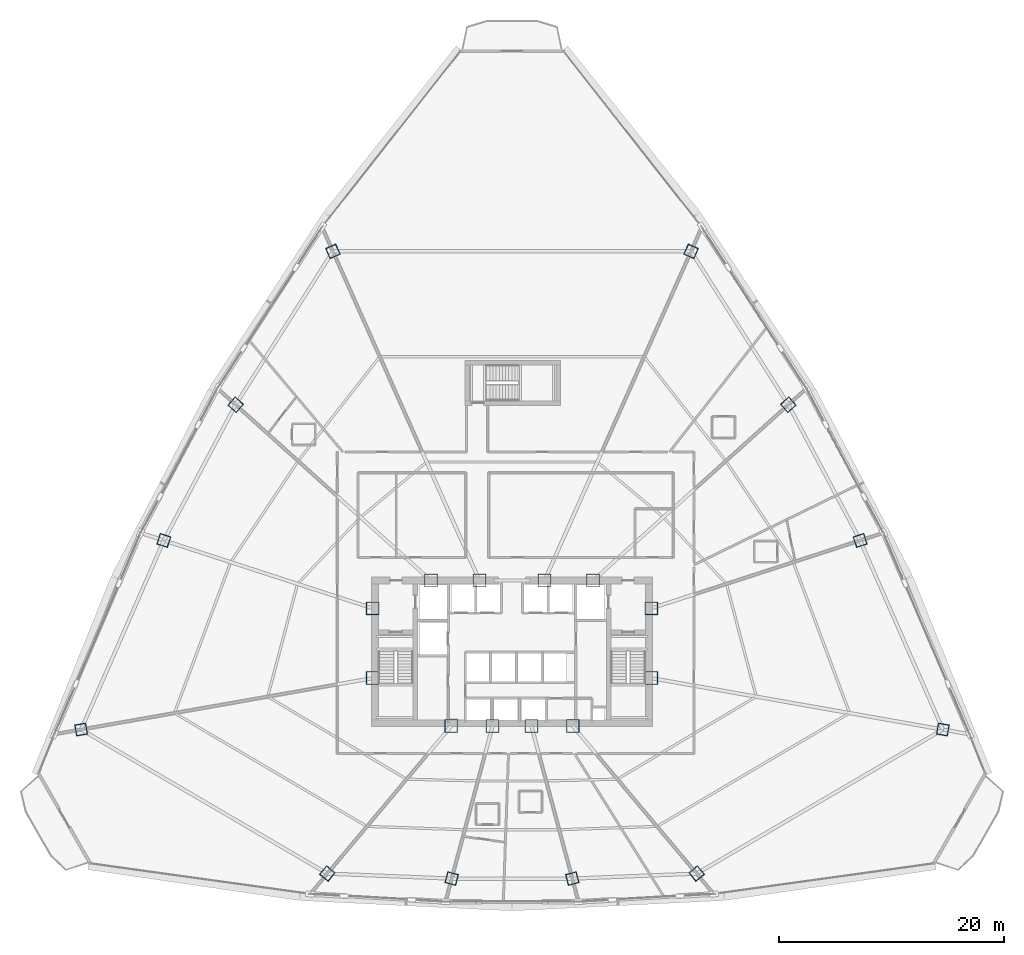
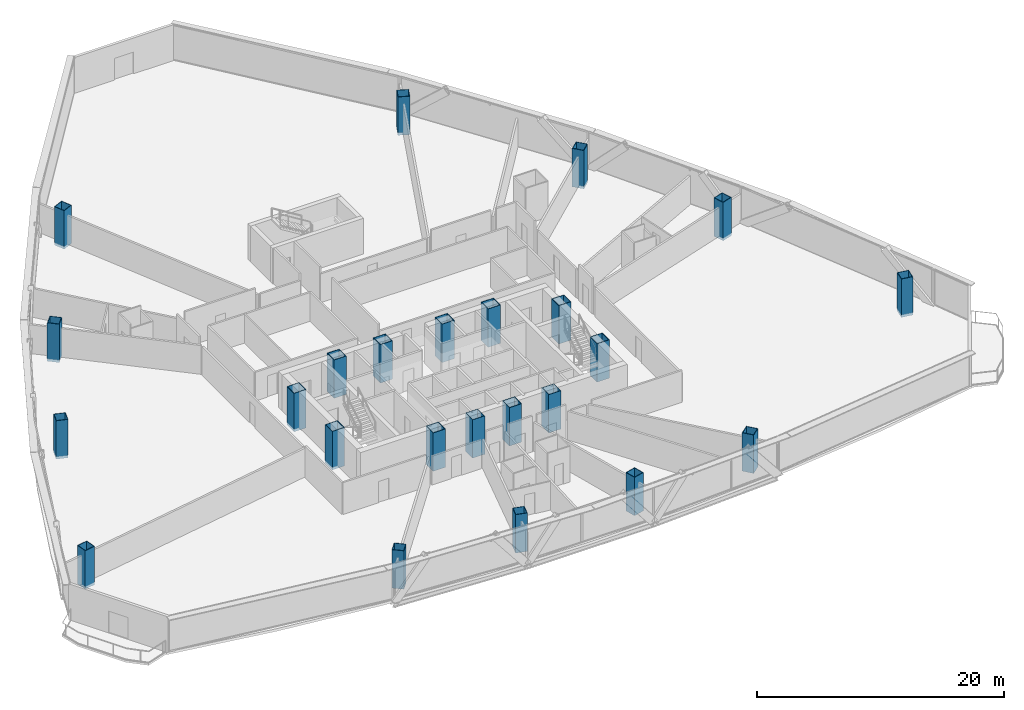
# One storey, part 1 of 38: 24 columns.
"""IFC4 building model written with IfcOpenShell, lengths in metres."""

import ifcopenshell
import ifcopenshell.guid

model = None  # the IFC model being written
_history = None  # IfcOwnerHistory: only IFC2X3 demands one
_inside = {}  # id of a spatial element -> (the spatial element, [elements in it])
_under = {}  # id of a project, library or spatial element -> (it, [spatial elements below it])
_declared = {}  # id of a project -> (the project, [libraries it declares])
_typed = {}  # id of a type object -> (the type object, [elements of that type])
_made_of = {}  # id of a material, layer set ... -> (it, [elements and type objects made of it])


def new_model(schema):
    """Start an empty IFC model of exactly this schema.

    Asked for "IFC4X3", IfcOpenShell would pick the latest addendum, in which some entities
    have other attributes; the version numbers below select the first issue.
    IFC2X3 requires an IfcOwnerHistory on every rooted entity: one is made here for all.
    """
    global model, _history
    if schema == "IFC4X3":
        model = ifcopenshell.file(schema_version=(4, 3, 0, 0))
    else:
        model = ifcopenshell.file(schema=schema)
    _inside.clear()
    _under.clear()
    _declared.clear()
    _typed.clear()
    _made_of.clear()
    _history = None
    if model.schema == "IFC2X3":
        org = make("IfcOrganization", Name="unknown")
        user = make(
            "IfcPersonAndOrganization",
            ThePerson=make("IfcPerson", FamilyName="unknown"),
            TheOrganization=org,
        )
        app = make(
            "IfcApplication",
            ApplicationDeveloper=org,
            Version="unknown",
            ApplicationFullName="unknown",
            ApplicationIdentifier="unknown",
        )
        _history = make(
            "IfcOwnerHistory",
            OwningUser=user,
            OwningApplication=app,
            ChangeAction="ADDED",
            CreationDate=0,
        )
    return model


def make(cls, **values):
    """One entity of the class cls with the attributes given. An attribute that is None is left unset."""
    return model.create_entity(
        cls, **{name: value for name, value in values.items() if value is not None}
    )


def rooted(cls, **values):
    """An entity with a GlobalId (a new one), such as an element, a storey or a relation."""
    return make(cls, GlobalId=ifcopenshell.guid.new(), OwnerHistory=_history, **values)


def si_unit(unit_type, name, prefix=None):
    """IfcSIUnit, for example si_unit("LENGTHUNIT", "METRE", prefix="MILLI")."""
    return make("IfcSIUnit", UnitType=unit_type, Prefix=prefix, Name=name)


def assignment(units):
    """IfcUnitAssignment: the units of a project."""
    return None if units is None else make("IfcUnitAssignment", Units=units)


def point(xyz):
    """IfcCartesianPoint."""
    return None if xyz is None else make("IfcCartesianPoint", Coordinates=xyz)


def direction(xyz):
    """IfcDirection."""
    return None if xyz is None else make("IfcDirection", DirectionRatios=xyz)


def frame(location, z_axis=None, x_axis=None):
    """IfcAxis2Placement3D, a coordinate frame: its origin and axes. An axis left out is left unset."""
    return make(
        "IfcAxis2Placement3D",
        Location=point(location),
        Axis=direction(z_axis),
        RefDirection=direction(x_axis),
    )


def frame_2d(location, x_axis=None):
    """IfcAxis2Placement2D, a coordinate frame in the plane: its origin and x axis."""
    return make(
        "IfcAxis2Placement2D", Location=point(location), RefDirection=direction(x_axis)
    )


def origin():
    """The frame at (0, 0, 0) with its axes left unset."""
    return frame((0.0, 0.0, 0.0))


def origin_2d():
    """The frame at (0, 0) in the plane with its x axis left unset."""
    return frame_2d((0.0, 0.0))


def place(relative_to, where):
    """IfcLocalPlacement: puts the frame where relative to a parent placement (None: the world)."""
    return make(
        "IfcLocalPlacement", PlacementRelTo=relative_to, RelativePlacement=where
    )


def context(
    kind, dimensions, precision=None, world=None, true_north=None, identifier=None
):
    """IfcGeometricRepresentationContext, for example the 3D "Model" context."""
    return make(
        "IfcGeometricRepresentationContext",
        ContextIdentifier=identifier,
        ContextType=kind,
        CoordinateSpaceDimension=dimensions,
        Precision=precision,
        WorldCoordinateSystem=world,
        TrueNorth=true_north,
    )


def subcontext(parent, identifier, kind, view, scale=None):
    """IfcGeometricRepresentationSubContext, for example "Body" below "Model"."""
    return make(
        "IfcGeometricRepresentationSubContext",
        ContextIdentifier=identifier,
        ContextType=kind,
        ParentContext=parent,
        TargetScale=scale,
        TargetView=view,
    )


def project(units=None, contexts=None):
    """IfcProject with its units and contexts."""
    return rooted(
        "IfcProject",
        Name="project",
        RepresentationContexts=contexts,
        UnitsInContext=assignment(units),
    )


def spatial(cls, under=None, at=None, **own):
    """A site, building, storey or space (cls), placed at a placement, below another one or the project."""
    s = rooted(cls, ObjectPlacement=at, **own)
    if under is not None:
        _under.setdefault(under.id(), (under, []))[1].append(s)
    return s


def profile(cls, at=None, kind="AREA", **sizes):
    """A parametric profile (cls). Its sizes go by their IFC names, for example OverallWidth=200.0."""
    return make(cls, ProfileType=kind, Position=at, **sizes)


def hollow_rectangle(**sizes):
    """IfcRectangleHollowProfileDef."""
    return profile("IfcRectangleHollowProfileDef", **sizes)


def extrude(swept, where, along, depth):
    """IfcExtrudedAreaSolid: the profile swept, set in the frame where, extruded along a direction by depth."""
    return make(
        "IfcExtrudedAreaSolid",
        SweptArea=swept,
        Position=where,
        ExtrudedDirection=direction(along),
        Depth=depth,
    )


def shape(context_of_items, identifier, shape_type, items):
    """IfcShapeRepresentation: the items that make up one representation, for example the "Body"."""
    return make(
        "IfcShapeRepresentation",
        ContextOfItems=context_of_items,
        RepresentationIdentifier=identifier,
        RepresentationType=shape_type,
        Items=items,
    )


def source(mapping_origin, context_of_items, identifier, shape_type, items):
    """IfcRepresentationMap: a shape defined once, which mapped items show again and again."""
    return make(
        "IfcRepresentationMap",
        MappingOrigin=mapping_origin,
        MappedRepresentation=shape(context_of_items, identifier, shape_type, items),
    )


def transform(
    local_origin,
    x_axis=None,
    y_axis=None,
    z_axis=None,
    scale=None,
    scale2=None,
    scale3=None,
    uniform=True,
):
    """IfcCartesianTransformationOperator3D, or its non-uniform kind. x_axis, y_axis, z_axis: its Axis1, 2, 3."""
    if uniform:
        return make(
            "IfcCartesianTransformationOperator3D",
            Axis1=direction(x_axis),
            Axis2=direction(y_axis),
            LocalOrigin=point(local_origin),
            Scale=scale,
            Axis3=direction(z_axis),
        )
    return make(
        "IfcCartesianTransformationOperator3DnonUniform",
        Axis1=direction(x_axis),
        Axis2=direction(y_axis),
        LocalOrigin=point(local_origin),
        Scale=scale,
        Axis3=direction(z_axis),
        Scale2=scale2,
        Scale3=scale3,
    )


def mapped(mapping_source, mapping_target):
    """IfcMappedItem: shows the shape of a source again, moved by a transform."""
    return make(
        "IfcMappedItem", MappingSource=mapping_source, MappingTarget=mapping_target
    )


def material(Name=None, Category=None):
    """IfcMaterial."""
    return make("IfcMaterial", Name=Name, Category=Category)


def material_profile(
    of_material, cross_section, Name=None, Category=None, Priority=None
):
    """IfcMaterialProfile: a cross section and its material."""
    return make(
        "IfcMaterialProfile",
        Name=Name,
        Material=of_material,
        Profile=cross_section,
        Priority=Priority,
        Category=Category,
    )


def profile_set(profiles, Name=None, composite=None):
    """IfcMaterialProfileSet."""
    return make(
        "IfcMaterialProfileSet",
        Name=Name,
        MaterialProfiles=profiles,
        CompositeProfile=composite,
    )


def made_of(thing, what):
    """Note that an element or type object is made of a material, layer set ...; save() writes the relation."""
    if what is not None:
        _made_of.setdefault(what.id(), (what, []))[1].append(thing)
    return thing


def type_object(cls, material=None, **own):
    """A type object (cls), such as IfcWallType, which elements share."""
    return made_of(rooted(cls, **own), material)


def element(
    cls,
    number,
    at=None,
    inside=None,
    cuts=None,
    type_object=None,
    material=None,
    context=None,
    identifier="Body",
    shape_type=None,
    held_by="IfcProductDefinitionShape",
    body=None,
    shapes=None,
    **own,
):
    """One element of the class cls, such as IfcWall. Its Tag is "e" and its number.

    at: its placement. inside: the storey or other place that contains it. cuts: it is an
    opening in that element (IfcRelVoidsElement). A single representation is given by context,
    identifier, shape_type and body (its items); several are given by shapes. held_by: the class
    of the entity that holds the representations. save() writes the other relations.
    """
    e = rooted(cls, Tag="e%d" % number, ObjectPlacement=at, **own)
    if body is not None:
        shapes = [shape(context, identifier, shape_type, body)]
    if shapes is not None:
        e.Representation = make(held_by, Representations=shapes)
    if inside is not None:
        _inside.setdefault(inside.id(), (inside, []))[1].append(e)
    if cuts is not None:
        rooted(
            "IfcRelVoidsElement", RelatingBuildingElement=cuts, RelatedOpeningElement=e
        )
    if type_object is not None:
        _typed.setdefault(type_object.id(), (type_object, []))[1].append(e)
    return made_of(e, material)


def aggregate(whole, parts):
    """IfcRelAggregates: a whole, such as a stair, and the parts it consists of."""
    return rooted("IfcRelAggregates", RelatingObject=whole, RelatedObjects=parts)


def save(model, path):
    """Write the relations noted so far, then the file.

    IfcRelAggregates (storeys below a building ...), IfcRelContainedInSpatialStructure (elements
    in a storey), IfcRelDefinesByType, IfcRelAssociatesMaterial and IfcRelDeclares: one each for
    every whole, place, type object, material and project.
    """
    for whole, parts in _under.values():
        aggregate(whole, parts)
    for where, things in _inside.values():
        rooted(
            "IfcRelContainedInSpatialStructure",
            RelatedElements=things,
            RelatingStructure=where,
        )
    for kind, things in _typed.values():
        rooted("IfcRelDefinesByType", RelatedObjects=things, RelatingType=kind)
    for what, things in _made_of.values():
        rooted("IfcRelAssociatesMaterial", RelatedObjects=things, RelatingMaterial=what)
    for by, libraries in _declared.values():
        rooted("IfcRelDeclares", RelatingContext=by, RelatedDefinitions=libraries)
    model.write(path)


model = new_model("IFC4")

# Units and contexts
model_context = context("Model", 3, precision=1e-05, world=origin(), true_north=direction((0.0, 1.0)))
body_context = subcontext(model_context, "Body", "Model", "MODEL_VIEW")
ifc_project = project(units=[si_unit("LENGTHUNIT", "METRE"), si_unit("AREAUNIT", "SQUARE_METRE"), si_unit("VOLUMEUNIT", "CUBIC_METRE"), si_unit("PLANEANGLEUNIT", "RADIAN"), si_unit("MASSUNIT", "GRAM", prefix="KILO"), si_unit("THERMODYNAMICTEMPERATUREUNIT", "KELVIN"), si_unit("POWERUNIT", "WATT")], contexts=[model_context])

# Site, building, storey
site_placement = place(None, origin())
site = spatial("IfcSite", under=ifc_project, at=site_placement, CompositionType="ELEMENT")
building_placement = place(site_placement, origin())
building = spatial("IfcBuilding", under=site, at=building_placement, Name="Yunzhuo Pagoda Commons", CompositionType="ELEMENT")
storey_placement = place(building_placement, frame((0.0, 0.0, 81.179931640625)))
storey = spatial("IfcBuildingStorey", under=building, at=storey_placement, Name="L20", CompositionType="ELEMENT", Elevation=81.179931640625)

# Columns
ifc_material = material(Name="Structural steel Q420B", Category="steel")
ifc_material_profile_1 = material_profile(ifc_material, hollow_rectangle(XDim=1.14990234375, YDim=1.14990234375, WallThickness=0.048095703125, at=origin_2d()), Name="Structural steel Q420B")
ifc_profile_set_1 = profile_set([ifc_material_profile_1], Name="Structural steel Q420B")
column_type_1 = type_object("IfcColumnType", Name="C-COR Column BOX 1150x1150x48", PredefinedType="COLUMN", material=ifc_profile_set_1)
shared_shape_1 = source(origin(), body_context, "Body", "SweptSolid", [
    extrude(hollow_rectangle(XDim=1.14990234375, YDim=1.14990234375, WallThickness=0.048095703125, at=origin_2d()), origin(), (0.0, 0.0, 1.0), 3.800048828125),
])
for number, where, z_axis, x_axis, name in (
    (1, (42.587890625, 27.25, -0.260009765625), (0.0, 0.0, 1.0), (1.0, 0.0, 0.0), "L20 core composite column F1C1"),
    (2, (46.27197265625, 27.25, -0.260009765625), (0.0, 0.0, 1.0), (1.0, 0.0, 0.0), "L20 core composite column F1C2"),
    (3, (49.728515625, 27.25, -0.260009765625), (0.0, 0.0, 1.0), (1.0, 0.0, 0.0), "L20 core composite column F1C3"),
    (4, (53.412109375, 27.25, -0.260009765625), (0.0, 0.0, 1.0), (1.0, 0.0, 0.0), "L20 core composite column F1C4"),
    (5, (60.39990234375, 31.513427734375, -0.260009765625), (0.0, 0.0, 1.0), (1.0, 0.0, 0.0), "L20 core composite column F2C1"),
    (6, (60.39990234375, 37.72900390625, -0.260009765625), (0.0, 0.0, 1.0), (1.0, 0.0, 0.0), "L20 core composite column F2C2"),
    (7, (55.218994140625, 40.199951171875, -0.260009765625), (0.0, 0.0, 1.0), (1.0, 0.0, 0.0), "L20 core composite column F2C3"),
    (8, (50.89404296875, 40.199951171875, -0.260009765625), (0.0, 0.0, 1.0), (1.0, 0.0, 0.0), "L20 core composite column F2C4"),
    (9, (45.10595703125, 40.199951171875, -0.260009765625), (0.0, 0.0, 1.0), (1.0, 0.0, 0.0), "L20 core composite column F3C1"),
    (10, (40.781005859375, 40.199951171875, -0.260009765625), (0.0, 0.0, 1.0), (1.0, 0.0, 0.0), "L20 core composite column F3C2"),
    (11, (35.60009765625, 37.72900390625, -0.260009765625), (0.0, 0.0, 1.0), (1.0, 0.0, 0.0), "L20 core composite column F3C3"),
    (12, (35.60009765625, 31.513427734375, -0.260009765625), (0.0, 0.0, 1.0), (1.0, 0.0, 0.0), "L20 core composite column F3C4"),
):
    element("IfcColumn", number, at=place(storey_placement, frame(where, z_axis=z_axis, x_axis=x_axis)), inside=storey, type_object=column_type_1, Name=name, PredefinedType="COLUMN", context=body_context, shape_type="MappedRepresentation", body=[
        mapped(shared_shape_1, transform((0.0, 0.0, 0.0), scale=1.0)),
    ])
ifc_material_profile_2 = material_profile(ifc_material, hollow_rectangle(XDim=1.0, YDim=1.0, WallThickness=0.0419921875, at=origin_2d()), Name="Structural steel Q420B")
ifc_profile_set_2 = profile_set([ifc_material_profile_2], Name="Structural steel Q420B")
column_type_2 = type_object("IfcColumnType", Name="C-Z2 Column BOX 1000x1000x42", PredefinedType="COLUMN", material=ifc_profile_set_2)
shared_shape_2 = source(origin(), body_context, "Body", "SweptSolid", [
    extrude(hollow_rectangle(XDim=1.0, YDim=1.0, WallThickness=0.0419921875, at=origin_2d()), origin(), (0.0, 0.0, 1.0), 3.800048828125),
])
for number, where, z_axis, x_axis, name in (
    (13, (31.56396484375, 14.1123046875, -0.260009765625), (0.0, 0.0, 1.0), (0.766044443119, -0.642787609687, 0.0), "L20 tower column F1C1"),
    (14, (42.632568359375, 13.66845703125, -0.260009765625), (0.0, 0.0, 1.0), (0.965925826289, -0.258819045103, 0.0), "L20 tower column F1C2"),
    (15, (53.367431640625, 13.66845703125, -0.260009765625), (0.0, 0.0, 1.0), (0.965925826289, 0.258819045103, 0.0), "L20 tower column F1C3"),
    (16, (64.43603515625, 14.1123046875, -0.260009765625), (0.0, 0.0, 1.0), (0.766044443119, 0.642787609687, 0.0), "L20 tower column F1C4"),
    (17, (86.352783203125, 26.9375, -0.260009765625), (0.0, 0.0, 1.0), (0.173648177667, 0.984807753012, 0.0), "L20 tower column F2C1"),
    (18, (78.99072265625, 43.76953125, -0.260009765625), (0.0, 0.0, 1.0), (-0.309016994375, 0.951056516295, 0.0), "L20 tower column F2C2"),
    (19, (72.602783203125, 55.852294921875, -0.260009765625), (0.0, 0.0, 1.0), (-0.669130606359, 0.743144825477, 0.0), "L20 tower column F2C3"),
    (20, (63.94140625, 69.505126953125, -0.260009765625), (0.0, 0.0, 1.0), (-0.913545457643, 0.406736643076, 0.0), "L20 tower column F2C4"),
    (21, (32.05859375, 69.505126953125, -0.260009765625), (0.0, 0.0, 1.0), (-0.913545457643, -0.406736643076, 0.0), "L20 tower column F3C1"),
    (22, (23.397216796875, 55.852294921875, -0.260009765625), (0.0, 0.0, 1.0), (-0.669130606359, -0.743144825477, 0.0), "L20 tower column F3C2"),
    (23, (17.00927734375, 43.76953125, -0.260009765625), (0.0, 0.0, 1.0), (-0.309016994375, -0.951056516295, 0.0), "L20 tower column F3C3"),
    (24, (9.647216796875, 26.9375, -0.260009765625), (0.0, 0.0, 1.0), (0.173648177667, -0.984807753012, 0.0), "L20 tower column F3C4"),
):
    element("IfcColumn", number, at=place(storey_placement, frame(where, z_axis=z_axis, x_axis=x_axis)), inside=storey, type_object=column_type_2, Name=name, PredefinedType="COLUMN", context=body_context, shape_type="MappedRepresentation", body=[
        mapped(shared_shape_2, transform((0.0, 0.0, 0.0), scale=1.0)),
    ])

save(model, "model.ifc")
